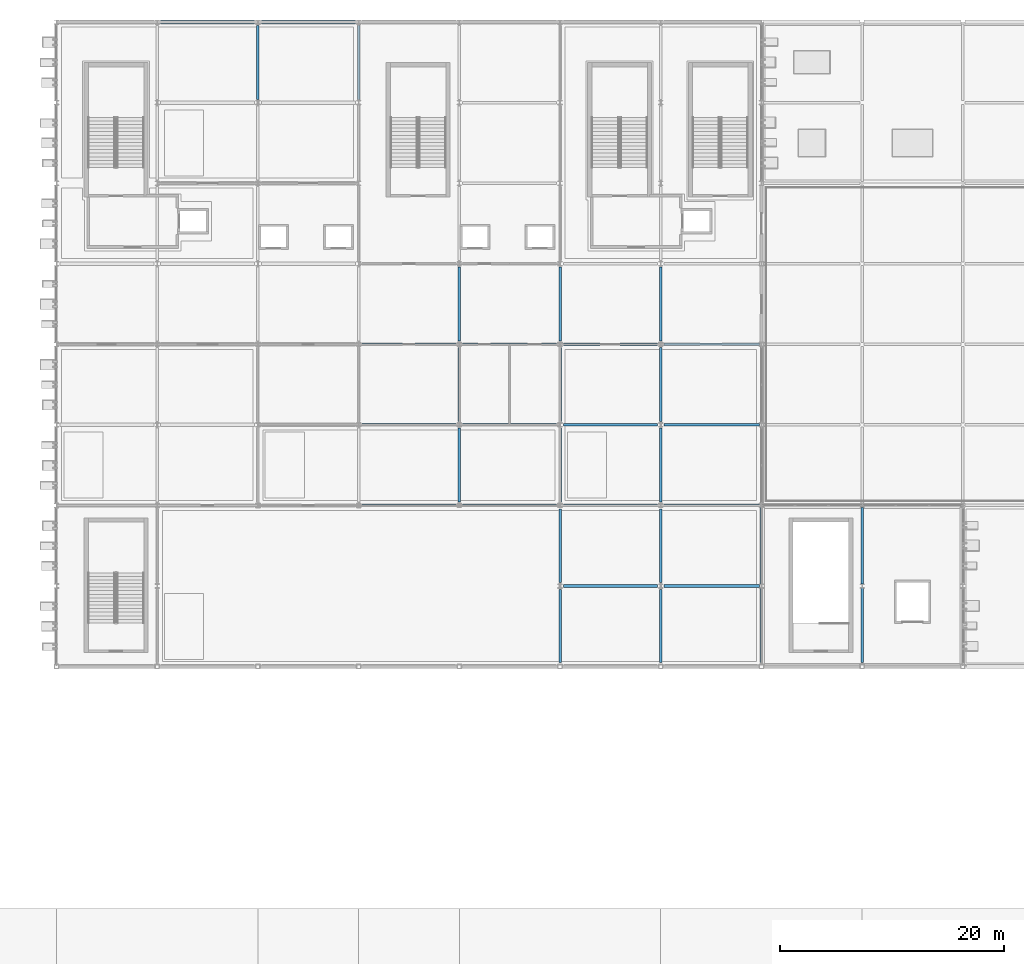
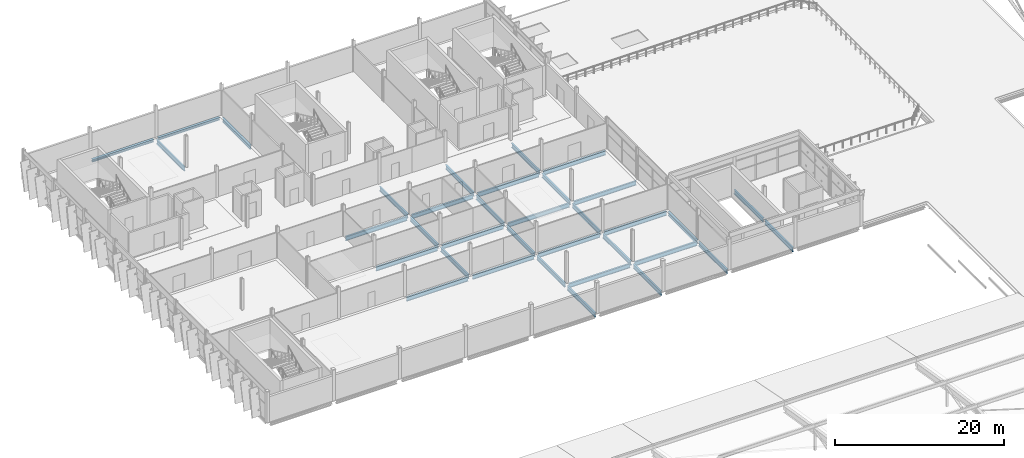
# One storey, part 33 of 78: 35 beams.
"""IFC4 building model written with IfcOpenShell, lengths in metres."""

import ifcopenshell
import ifcopenshell.guid

model = None  # the IFC model being written
_history = None  # IfcOwnerHistory: only IFC2X3 demands one
_inside = {}  # id of a spatial element -> (the spatial element, [elements in it])
_under = {}  # id of a project, library or spatial element -> (it, [spatial elements below it])
_declared = {}  # id of a project -> (the project, [libraries it declares])
_typed = {}  # id of a type object -> (the type object, [elements of that type])
_made_of = {}  # id of a material, layer set ... -> (it, [elements and type objects made of it])


def new_model(schema):
    """Start an empty IFC model of exactly this schema.

    Asked for "IFC4X3", IfcOpenShell would pick the latest addendum, in which some entities
    have other attributes; the version numbers below select the first issue.
    IFC2X3 requires an IfcOwnerHistory on every rooted entity: one is made here for all.
    """
    global model, _history
    if schema == "IFC4X3":
        model = ifcopenshell.file(schema_version=(4, 3, 0, 0))
    else:
        model = ifcopenshell.file(schema=schema)
    _inside.clear()
    _under.clear()
    _declared.clear()
    _typed.clear()
    _made_of.clear()
    _history = None
    if model.schema == "IFC2X3":
        org = make("IfcOrganization", Name="unknown")
        user = make(
            "IfcPersonAndOrganization",
            ThePerson=make("IfcPerson", FamilyName="unknown"),
            TheOrganization=org,
        )
        app = make(
            "IfcApplication",
            ApplicationDeveloper=org,
            Version="unknown",
            ApplicationFullName="unknown",
            ApplicationIdentifier="unknown",
        )
        _history = make(
            "IfcOwnerHistory",
            OwningUser=user,
            OwningApplication=app,
            ChangeAction="ADDED",
            CreationDate=0,
        )
    return model


def make(cls, **values):
    """One entity of the class cls with the attributes given. An attribute that is None is left unset."""
    return model.create_entity(
        cls, **{name: value for name, value in values.items() if value is not None}
    )


def rooted(cls, **values):
    """An entity with a GlobalId (a new one), such as an element, a storey or a relation."""
    return make(cls, GlobalId=ifcopenshell.guid.new(), OwnerHistory=_history, **values)


def si_unit(unit_type, name, prefix=None):
    """IfcSIUnit, for example si_unit("LENGTHUNIT", "METRE", prefix="MILLI")."""
    return make("IfcSIUnit", UnitType=unit_type, Prefix=prefix, Name=name)


def assignment(units):
    """IfcUnitAssignment: the units of a project."""
    return None if units is None else make("IfcUnitAssignment", Units=units)


def point(xyz):
    """IfcCartesianPoint."""
    return None if xyz is None else make("IfcCartesianPoint", Coordinates=xyz)


def direction(xyz):
    """IfcDirection."""
    return None if xyz is None else make("IfcDirection", DirectionRatios=xyz)


def frame(location, z_axis=None, x_axis=None):
    """IfcAxis2Placement3D, a coordinate frame: its origin and axes. An axis left out is left unset."""
    return make(
        "IfcAxis2Placement3D",
        Location=point(location),
        Axis=direction(z_axis),
        RefDirection=direction(x_axis),
    )


def frame_2d(location, x_axis=None):
    """IfcAxis2Placement2D, a coordinate frame in the plane: its origin and x axis."""
    return make(
        "IfcAxis2Placement2D", Location=point(location), RefDirection=direction(x_axis)
    )


def origin():
    """The frame at (0, 0, 0) with its axes left unset."""
    return frame((0.0, 0.0, 0.0))


def origin_2d():
    """The frame at (0, 0) in the plane with its x axis left unset."""
    return frame_2d((0.0, 0.0))


def place(relative_to, where):
    """IfcLocalPlacement: puts the frame where relative to a parent placement (None: the world)."""
    return make(
        "IfcLocalPlacement", PlacementRelTo=relative_to, RelativePlacement=where
    )


def context(
    kind, dimensions, precision=None, world=None, true_north=None, identifier=None
):
    """IfcGeometricRepresentationContext, for example the 3D "Model" context."""
    return make(
        "IfcGeometricRepresentationContext",
        ContextIdentifier=identifier,
        ContextType=kind,
        CoordinateSpaceDimension=dimensions,
        Precision=precision,
        WorldCoordinateSystem=world,
        TrueNorth=true_north,
    )


def subcontext(parent, identifier, kind, view, scale=None):
    """IfcGeometricRepresentationSubContext, for example "Body" below "Model"."""
    return make(
        "IfcGeometricRepresentationSubContext",
        ContextIdentifier=identifier,
        ContextType=kind,
        ParentContext=parent,
        TargetScale=scale,
        TargetView=view,
    )


def project(units=None, contexts=None):
    """IfcProject with its units and contexts."""
    return rooted(
        "IfcProject",
        Name="project",
        RepresentationContexts=contexts,
        UnitsInContext=assignment(units),
    )


def spatial(cls, under=None, at=None, **own):
    """A site, building, storey or space (cls), placed at a placement, below another one or the project."""
    s = rooted(cls, ObjectPlacement=at, **own)
    if under is not None:
        _under.setdefault(under.id(), (under, []))[1].append(s)
    return s


def profile(cls, at=None, kind="AREA", **sizes):
    """A parametric profile (cls). Its sizes go by their IFC names, for example OverallWidth=200.0."""
    return make(cls, ProfileType=kind, Position=at, **sizes)


def i_section(**sizes):
    """IfcIShapeProfileDef."""
    return profile("IfcIShapeProfileDef", **sizes)


def extrude(swept, where, along, depth):
    """IfcExtrudedAreaSolid: the profile swept, set in the frame where, extruded along a direction by depth."""
    return make(
        "IfcExtrudedAreaSolid",
        SweptArea=swept,
        Position=where,
        ExtrudedDirection=direction(along),
        Depth=depth,
    )


def shape(context_of_items, identifier, shape_type, items):
    """IfcShapeRepresentation: the items that make up one representation, for example the "Body"."""
    return make(
        "IfcShapeRepresentation",
        ContextOfItems=context_of_items,
        RepresentationIdentifier=identifier,
        RepresentationType=shape_type,
        Items=items,
    )


def material(Name=None, Category=None):
    """IfcMaterial."""
    return make("IfcMaterial", Name=Name, Category=Category)


def material_profile(
    of_material, cross_section, Name=None, Category=None, Priority=None
):
    """IfcMaterialProfile: a cross section and its material."""
    return make(
        "IfcMaterialProfile",
        Name=Name,
        Material=of_material,
        Profile=cross_section,
        Priority=Priority,
        Category=Category,
    )


def profile_set(profiles, Name=None, composite=None):
    """IfcMaterialProfileSet."""
    return make(
        "IfcMaterialProfileSet",
        Name=Name,
        MaterialProfiles=profiles,
        CompositeProfile=composite,
    )


def made_of(thing, what):
    """Note that an element or type object is made of a material, layer set ...; save() writes the relation."""
    if what is not None:
        _made_of.setdefault(what.id(), (what, []))[1].append(thing)
    return thing


def type_object(cls, material=None, **own):
    """A type object (cls), such as IfcWallType, which elements share."""
    return made_of(rooted(cls, **own), material)


def element(
    cls,
    number,
    at=None,
    inside=None,
    cuts=None,
    type_object=None,
    material=None,
    context=None,
    identifier="Body",
    shape_type=None,
    held_by="IfcProductDefinitionShape",
    body=None,
    shapes=None,
    **own,
):
    """One element of the class cls, such as IfcWall. Its Tag is "e" and its number.

    at: its placement. inside: the storey or other place that contains it. cuts: it is an
    opening in that element (IfcRelVoidsElement). A single representation is given by context,
    identifier, shape_type and body (its items); several are given by shapes. held_by: the class
    of the entity that holds the representations. save() writes the other relations.
    """
    e = rooted(cls, Tag="e%d" % number, ObjectPlacement=at, **own)
    if body is not None:
        shapes = [shape(context, identifier, shape_type, body)]
    if shapes is not None:
        e.Representation = make(held_by, Representations=shapes)
    if inside is not None:
        _inside.setdefault(inside.id(), (inside, []))[1].append(e)
    if cuts is not None:
        rooted(
            "IfcRelVoidsElement", RelatingBuildingElement=cuts, RelatedOpeningElement=e
        )
    if type_object is not None:
        _typed.setdefault(type_object.id(), (type_object, []))[1].append(e)
    return made_of(e, material)


def aggregate(whole, parts):
    """IfcRelAggregates: a whole, such as a stair, and the parts it consists of."""
    return rooted("IfcRelAggregates", RelatingObject=whole, RelatedObjects=parts)


def save(model, path):
    """Write the relations noted so far, then the file.

    IfcRelAggregates (storeys below a building ...), IfcRelContainedInSpatialStructure (elements
    in a storey), IfcRelDefinesByType, IfcRelAssociatesMaterial and IfcRelDeclares: one each for
    every whole, place, type object, material and project.
    """
    for whole, parts in _under.values():
        aggregate(whole, parts)
    for where, things in _inside.values():
        rooted(
            "IfcRelContainedInSpatialStructure",
            RelatedElements=things,
            RelatingStructure=where,
        )
    for kind, things in _typed.values():
        rooted("IfcRelDefinesByType", RelatedObjects=things, RelatingType=kind)
    for what, things in _made_of.values():
        rooted("IfcRelAssociatesMaterial", RelatedObjects=things, RelatingMaterial=what)
    for by, libraries in _declared.values():
        rooted("IfcRelDeclares", RelatingContext=by, RelatedDefinitions=libraries)
    model.write(path)


model = new_model("IFC4")

# Units and contexts
model_context = context("Model", 3, precision=1e-05, world=origin(), true_north=direction((0.0, 1.0)))
body_context = subcontext(model_context, "Body", "Model", "MODEL_VIEW")
ifc_project = project(units=[si_unit("LENGTHUNIT", "METRE"), si_unit("AREAUNIT", "SQUARE_METRE"), si_unit("VOLUMEUNIT", "CUBIC_METRE"), si_unit("PLANEANGLEUNIT", "RADIAN"), si_unit("MASSUNIT", "GRAM", prefix="KILO")], contexts=[model_context])

# Site, building, storey
site_placement = place(None, origin())
site = spatial("IfcSite", under=ifc_project, at=site_placement, CompositionType="ELEMENT")
building_placement = place(site_placement, origin())
building = spatial("IfcBuilding", under=site, at=building_placement, Name="Celestram Park Convention Centre", CompositionType="ELEMENT")
storey_placement = place(building_placement, frame((0.0, 0.0, 19.800048828125)))
storey = spatial("IfcBuildingStorey", under=building, at=storey_placement, Name="L04", CompositionType="ELEMENT", Elevation=19.800048828125)

# Beams
ifc_material = material(Name="Steel ASTM A992 Grade 50", Category="steel")
ifc_material_profile_1 = material_profile(ifc_material, i_section(OverallWidth=0.22900390625, OverallDepth=0.612060546875, WebThickness=0.011962890625, FlangeThickness=0.01953125, at=origin_2d()), Name="W24X84")
ifc_profile_set_1 = profile_set([ifc_material_profile_1], Name="Steel ASTM A992 Grade 50")
beam_type_1 = type_object("IfcBeamType", Name="STR-BM-W24X84", PredefinedType="BEAM", material=ifc_profile_set_1)
beam_1_placement = place(storey_placement, frame((54.0, 158.697998046875, -0.55615234375), z_axis=(0.0, 1.0, 0.0), x_axis=(-1.0, 0.0, 0.0)))
element("IfcBeam", 1, at=beam_1_placement, inside=storey, type_object=beam_type_1, Name="Primary Y-girder BG-L04-0043", PredefinedType="BEAM", context=body_context, shape_type="SweptSolid", body=[
    extrude(i_section(OverallWidth=0.22900390625, OverallDepth=0.612060546875, WebThickness=0.011962890625, FlangeThickness=0.01953125, at=origin_2d()), origin(), (0.0, 0.0, 1.0), 6.60400390625),
])
for number, where, z_axis, x_axis, name in (
    (2, (63.298095703125, 122.39990234375, -0.55615234375), (1.0, 0.0, 0.0), (0.0, 1.0, 0.0), "Primary X-girder BG-L04-0046"),
    (3, (63.298095703125, 129.60009765625, -0.55615234375), (1.0, 0.0, 0.0), (0.0, 1.0, 0.0), "Primary X-girder BG-L04-0048"),
    (4, (63.298095703125, 136.800048828125, -0.55615234375), (1.0, 0.0, 0.0), (0.0, 1.0, 0.0), "Primary X-girder BG-L04-0050"),
):
    element("IfcBeam", number, at=place(storey_placement, frame(where, z_axis=z_axis, x_axis=x_axis)), inside=storey, type_object=beam_type_1, Name=name, PredefinedType="BEAM", context=body_context, shape_type="SweptSolid", body=[
        extrude(i_section(OverallWidth=0.22900390625, OverallDepth=0.612060546875, WebThickness=0.011962890625, FlangeThickness=0.01953125, at=origin_2d()), origin(), (0.0, 0.0, 1.0), 8.40380859375),
    ])
beam_2_placement = place(storey_placement, frame((63.0, 158.697998046875, -0.55615234375), z_axis=(0.0, 1.0, 0.0), x_axis=(-1.0, 0.0, 0.0)))
element("IfcBeam", 5, at=beam_2_placement, inside=storey, type_object=beam_type_1, Name="Primary Y-girder BG-L04-0055", PredefinedType="BEAM", context=body_context, shape_type="SweptSolid", body=[
    extrude(i_section(OverallWidth=0.22900390625, OverallDepth=0.612060546875, WebThickness=0.011962890625, FlangeThickness=0.01953125, at=origin_2d()), origin(), (0.0, 0.0, 1.0), 6.60400390625),
])
beam_3_placement = place(storey_placement, frame((72.298095703125, 122.39990234375, -0.55615234375), z_axis=(1.0, 0.0, 0.0), x_axis=(0.0, 1.0, 0.0)))
element("IfcBeam", 6, at=beam_3_placement, inside=storey, type_object=beam_type_1, Name="Primary X-girder BG-L04-0058", PredefinedType="BEAM", context=body_context, shape_type="SweptSolid", body=[
    extrude(i_section(OverallWidth=0.22900390625, OverallDepth=0.612060546875, WebThickness=0.011962890625, FlangeThickness=0.01953125, at=origin_2d()), origin(), (0.0, 0.0, 1.0), 8.40380859375),
])
beam_4_placement = place(storey_placement, frame((72.0, 122.697998046875, -0.55615234375), z_axis=(0.0, 1.0, 0.0), x_axis=(-1.0, 0.0, 0.0)))
element("IfcBeam", 7, at=beam_4_placement, inside=storey, type_object=beam_type_1, Name="Primary Y-girder BG-L04-0059", PredefinedType="BEAM", context=body_context, shape_type="SweptSolid", body=[
    extrude(i_section(OverallWidth=0.22900390625, OverallDepth=0.612060546875, WebThickness=0.011962890625, FlangeThickness=0.01953125, at=origin_2d()), origin(), (0.0, 0.0, 1.0), 6.60400390625),
])
beam_5_placement = place(storey_placement, frame((72.298095703125, 129.60009765625, -0.55615234375), z_axis=(1.0, 0.0, 0.0), x_axis=(0.0, 1.0, 0.0)))
element("IfcBeam", 8, at=beam_5_placement, inside=storey, type_object=beam_type_1, Name="Primary X-girder BG-L04-0060", PredefinedType="BEAM", context=body_context, shape_type="SweptSolid", body=[
    extrude(i_section(OverallWidth=0.22900390625, OverallDepth=0.612060546875, WebThickness=0.011962890625, FlangeThickness=0.01953125, at=origin_2d()), origin(), (0.0, 0.0, 1.0), 8.40380859375),
])
beam_6_placement = place(storey_placement, frame((72.0, 129.89794921875, -0.55615234375), z_axis=(0.0, 1.0, 0.0), x_axis=(-1.0, 0.0, 0.0)))
element("IfcBeam", 9, at=beam_6_placement, inside=storey, type_object=beam_type_1, Name="Primary Y-girder BG-L04-0061", PredefinedType="BEAM", context=body_context, shape_type="SweptSolid", body=[
    extrude(i_section(OverallWidth=0.22900390625, OverallDepth=0.612060546875, WebThickness=0.011962890625, FlangeThickness=0.01953125, at=origin_2d()), origin(), (0.0, 0.0, 1.0), 6.60400390625),
])
beam_7_placement = place(storey_placement, frame((72.298095703125, 136.800048828125, -0.55615234375), z_axis=(1.0, 0.0, 0.0), x_axis=(0.0, 1.0, 0.0)))
element("IfcBeam", 10, at=beam_7_placement, inside=storey, type_object=beam_type_1, Name="Primary X-girder BG-L04-0062", PredefinedType="BEAM", context=body_context, shape_type="SweptSolid", body=[
    extrude(i_section(OverallWidth=0.22900390625, OverallDepth=0.612060546875, WebThickness=0.011962890625, FlangeThickness=0.01953125, at=origin_2d()), origin(), (0.0, 0.0, 1.0), 8.40380859375),
])
beam_8_placement = place(storey_placement, frame((72.0, 137.097900390625, -0.55615234375), z_axis=(0.0, 1.0, 0.0), x_axis=(-1.0, 0.0, 0.0)))
element("IfcBeam", 11, at=beam_8_placement, inside=storey, type_object=beam_type_1, Name="Primary Y-girder BG-L04-0063", PredefinedType="BEAM", context=body_context, shape_type="SweptSolid", body=[
    extrude(i_section(OverallWidth=0.22900390625, OverallDepth=0.612060546875, WebThickness=0.011962890625, FlangeThickness=0.01953125, at=origin_2d()), origin(), (0.0, 0.0, 1.0), 6.60400390625),
])
beam_9_placement = place(storey_placement, frame((81.0, 108.347900390625, -0.55615234375), z_axis=(0.0, 1.0, 0.0), x_axis=(-1.0, 0.0, 0.0)))
element("IfcBeam", 12, at=beam_9_placement, inside=storey, type_object=beam_type_1, Name="Primary Y-girder BG-L04-0072", PredefinedType="BEAM", context=body_context, shape_type="SweptSolid", body=[
    extrude(i_section(OverallWidth=0.22900390625, OverallDepth=0.612060546875, WebThickness=0.011962890625, FlangeThickness=0.01953125, at=origin_2d()), origin(), (0.0, 0.0, 1.0), 6.55419921875),
])
beam_10_placement = place(storey_placement, frame((81.298095703125, 115.199951171875, -0.55615234375), z_axis=(1.0, 0.0, 0.0), x_axis=(0.0, 1.0, 0.0)))
element("IfcBeam", 13, at=beam_10_placement, inside=storey, type_object=beam_type_1, Name="Primary X-girder BG-L04-0073", PredefinedType="BEAM", context=body_context, shape_type="SweptSolid", body=[
    extrude(i_section(OverallWidth=0.22900390625, OverallDepth=0.612060546875, WebThickness=0.011962890625, FlangeThickness=0.01953125, at=origin_2d()), origin(), (0.0, 0.0, 1.0), 8.40380859375),
])
beam_11_placement = place(storey_placement, frame((81.0, 115.498046875, -0.55615234375), z_axis=(0.0, 1.0, 0.0), x_axis=(-1.0, 0.0, 0.0)))
element("IfcBeam", 14, at=beam_11_placement, inside=storey, type_object=beam_type_1, Name="Primary Y-girder BG-L04-0074", PredefinedType="BEAM", context=body_context, shape_type="SweptSolid", body=[
    extrude(i_section(OverallWidth=0.22900390625, OverallDepth=0.612060546875, WebThickness=0.011962890625, FlangeThickness=0.01953125, at=origin_2d()), origin(), (0.0, 0.0, 1.0), 6.60400390625),
])
beam_12_placement = place(storey_placement, frame((81.298095703125, 122.39990234375, -0.55615234375), z_axis=(1.0, 0.0, 0.0), x_axis=(0.0, 1.0, 0.0)))
element("IfcBeam", 15, at=beam_12_placement, inside=storey, type_object=beam_type_1, Name="Primary X-girder BG-L04-0075", PredefinedType="BEAM", context=body_context, shape_type="SweptSolid", body=[
    extrude(i_section(OverallWidth=0.22900390625, OverallDepth=0.612060546875, WebThickness=0.011962890625, FlangeThickness=0.01953125, at=origin_2d()), origin(), (0.0, 0.0, 1.0), 8.40380859375),
])
beam_13_placement = place(storey_placement, frame((81.0, 122.697998046875, -0.55615234375), z_axis=(0.0, 1.0, 0.0), x_axis=(-1.0, 0.0, 0.0)))
element("IfcBeam", 16, at=beam_13_placement, inside=storey, type_object=beam_type_1, Name="Primary Y-girder BG-L04-0076", PredefinedType="BEAM", context=body_context, shape_type="SweptSolid", body=[
    extrude(i_section(OverallWidth=0.22900390625, OverallDepth=0.612060546875, WebThickness=0.011962890625, FlangeThickness=0.01953125, at=origin_2d()), origin(), (0.0, 0.0, 1.0), 6.60400390625),
])
beam_14_placement = place(storey_placement, frame((81.298095703125, 129.60009765625, -0.55615234375), z_axis=(1.0, 0.0, 0.0), x_axis=(0.0, 1.0, 0.0)))
element("IfcBeam", 17, at=beam_14_placement, inside=storey, type_object=beam_type_1, Name="Primary X-girder BG-L04-0077", PredefinedType="BEAM", context=body_context, shape_type="SweptSolid", body=[
    extrude(i_section(OverallWidth=0.22900390625, OverallDepth=0.612060546875, WebThickness=0.011962890625, FlangeThickness=0.01953125, at=origin_2d()), origin(), (0.0, 0.0, 1.0), 8.40380859375),
])
beam_15_placement = place(storey_placement, frame((81.0, 129.89794921875, -0.55615234375), z_axis=(0.0, 1.0, 0.0), x_axis=(-1.0, 0.0, 0.0)))
element("IfcBeam", 18, at=beam_15_placement, inside=storey, type_object=beam_type_1, Name="Primary Y-girder BG-L04-0078", PredefinedType="BEAM", context=body_context, shape_type="SweptSolid", body=[
    extrude(i_section(OverallWidth=0.22900390625, OverallDepth=0.612060546875, WebThickness=0.011962890625, FlangeThickness=0.01953125, at=origin_2d()), origin(), (0.0, 0.0, 1.0), 6.60400390625),
])
beam_16_placement = place(storey_placement, frame((81.298095703125, 136.800048828125, -0.55615234375), z_axis=(1.0, 0.0, 0.0), x_axis=(0.0, 1.0, 0.0)))
element("IfcBeam", 19, at=beam_16_placement, inside=storey, type_object=beam_type_1, Name="Primary X-girder BG-L04-0079", PredefinedType="BEAM", context=body_context, shape_type="SweptSolid", body=[
    extrude(i_section(OverallWidth=0.22900390625, OverallDepth=0.612060546875, WebThickness=0.011962890625, FlangeThickness=0.01953125, at=origin_2d()), origin(), (0.0, 0.0, 1.0), 8.40380859375),
])
beam_17_placement = place(storey_placement, frame((81.0, 137.097900390625, -0.55615234375), z_axis=(0.0, 1.0, 0.0), x_axis=(-1.0, 0.0, 0.0)))
element("IfcBeam", 20, at=beam_17_placement, inside=storey, type_object=beam_type_1, Name="Primary Y-girder BG-L04-0080", PredefinedType="BEAM", context=body_context, shape_type="SweptSolid", body=[
    extrude(i_section(OverallWidth=0.22900390625, OverallDepth=0.612060546875, WebThickness=0.011962890625, FlangeThickness=0.01953125, at=origin_2d()), origin(), (0.0, 0.0, 1.0), 6.60400390625),
])
beam_18_placement = place(storey_placement, frame((90.0, 108.347900390625, -0.55615234375), z_axis=(0.0, 1.0, 0.0), x_axis=(-1.0, 0.0, 0.0)))
element("IfcBeam", 21, at=beam_18_placement, inside=storey, type_object=beam_type_1, Name="Primary Y-girder BG-L04-0087", PredefinedType="BEAM", context=body_context, shape_type="SweptSolid", body=[
    extrude(i_section(OverallWidth=0.22900390625, OverallDepth=0.612060546875, WebThickness=0.011962890625, FlangeThickness=0.01953125, at=origin_2d()), origin(), (0.0, 0.0, 1.0), 6.55419921875),
])
beam_19_placement = place(storey_placement, frame((90.298095703125, 115.199951171875, -0.55615234375), z_axis=(1.0, 0.0, 0.0), x_axis=(0.0, 1.0, 0.0)))
element("IfcBeam", 22, at=beam_19_placement, inside=storey, type_object=beam_type_1, Name="Primary X-girder BG-L04-0088", PredefinedType="BEAM", context=body_context, shape_type="SweptSolid", body=[
    extrude(i_section(OverallWidth=0.22900390625, OverallDepth=0.612060546875, WebThickness=0.011962890625, FlangeThickness=0.01953125, at=origin_2d()), origin(), (0.0, 0.0, 1.0), 8.52880859375),
])
beam_20_placement = place(storey_placement, frame((90.0, 115.498046875, -0.55615234375), z_axis=(0.0, 1.0, 0.0), x_axis=(-1.0, 0.0, 0.0)))
element("IfcBeam", 23, at=beam_20_placement, inside=storey, type_object=beam_type_1, Name="Primary Y-girder BG-L04-0089", PredefinedType="BEAM", context=body_context, shape_type="SweptSolid", body=[
    extrude(i_section(OverallWidth=0.22900390625, OverallDepth=0.612060546875, WebThickness=0.011962890625, FlangeThickness=0.01953125, at=origin_2d()), origin(), (0.0, 0.0, 1.0), 6.60400390625),
])
beam_21_placement = place(storey_placement, frame((90.298095703125, 122.39990234375, -0.55615234375), z_axis=(1.0, 0.0, 0.0), x_axis=(0.0, 1.0, 0.0)))
element("IfcBeam", 24, at=beam_21_placement, inside=storey, type_object=beam_type_1, Name="Primary X-girder BG-L04-0090", PredefinedType="BEAM", context=body_context, shape_type="SweptSolid", body=[
    extrude(i_section(OverallWidth=0.22900390625, OverallDepth=0.612060546875, WebThickness=0.011962890625, FlangeThickness=0.01953125, at=origin_2d()), origin(), (0.0, 0.0, 1.0), 8.52880859375),
])
beam_22_placement = place(storey_placement, frame((90.0, 122.697998046875, -0.55615234375), z_axis=(0.0, 1.0, 0.0), x_axis=(-1.0, 0.0, 0.0)))
element("IfcBeam", 25, at=beam_22_placement, inside=storey, type_object=beam_type_1, Name="Primary Y-girder BG-L04-0091", PredefinedType="BEAM", context=body_context, shape_type="SweptSolid", body=[
    extrude(i_section(OverallWidth=0.22900390625, OverallDepth=0.612060546875, WebThickness=0.011962890625, FlangeThickness=0.01953125, at=origin_2d()), origin(), (0.0, 0.0, 1.0), 6.60400390625),
])
beam_23_placement = place(storey_placement, frame((90.298095703125, 129.60009765625, -0.55615234375), z_axis=(1.0, 0.0, 0.0), x_axis=(0.0, 1.0, 0.0)))
element("IfcBeam", 26, at=beam_23_placement, inside=storey, type_object=beam_type_1, Name="Primary X-girder BG-L04-0092", PredefinedType="BEAM", context=body_context, shape_type="SweptSolid", body=[
    extrude(i_section(OverallWidth=0.22900390625, OverallDepth=0.612060546875, WebThickness=0.011962890625, FlangeThickness=0.01953125, at=origin_2d()), origin(), (0.0, 0.0, 1.0), 8.52880859375),
])
beam_24_placement = place(storey_placement, frame((90.0, 129.89794921875, -0.55615234375), z_axis=(0.0, 1.0, 0.0), x_axis=(-1.0, 0.0, 0.0)))
element("IfcBeam", 27, at=beam_24_placement, inside=storey, type_object=beam_type_1, Name="Primary Y-girder BG-L04-0093", PredefinedType="BEAM", context=body_context, shape_type="SweptSolid", body=[
    extrude(i_section(OverallWidth=0.22900390625, OverallDepth=0.612060546875, WebThickness=0.011962890625, FlangeThickness=0.01953125, at=origin_2d()), origin(), (0.0, 0.0, 1.0), 6.60400390625),
])
beam_25_placement = place(storey_placement, frame((90.298095703125, 136.800048828125, -0.55615234375), z_axis=(1.0, 0.0, 0.0), x_axis=(0.0, 1.0, 0.0)))
element("IfcBeam", 28, at=beam_25_placement, inside=storey, type_object=beam_type_1, Name="Primary X-girder BG-L04-0094", PredefinedType="BEAM", context=body_context, shape_type="SweptSolid", body=[
    extrude(i_section(OverallWidth=0.22900390625, OverallDepth=0.612060546875, WebThickness=0.011962890625, FlangeThickness=0.01953125, at=origin_2d()), origin(), (0.0, 0.0, 1.0), 8.52880859375),
])
beam_26_placement = place(storey_placement, frame((90.0, 137.097900390625, -0.55615234375), z_axis=(0.0, 1.0, 0.0), x_axis=(-1.0, 0.0, 0.0)))
element("IfcBeam", 29, at=beam_26_placement, inside=storey, type_object=beam_type_1, Name="Primary Y-girder BG-L04-0095", PredefinedType="BEAM", context=body_context, shape_type="SweptSolid", body=[
    extrude(i_section(OverallWidth=0.22900390625, OverallDepth=0.612060546875, WebThickness=0.011962890625, FlangeThickness=0.01953125, at=origin_2d()), origin(), (0.0, 0.0, 1.0), 6.60400390625),
])
beam_27_placement = place(storey_placement, frame((99.0, 108.347900390625, -0.55615234375), z_axis=(0.0, 1.0, 0.0), x_axis=(-1.0, 0.0, 0.0)))
element("IfcBeam", 30, at=beam_27_placement, inside=storey, type_object=beam_type_1, Name="Primary Y-girder BG-L04-0102", PredefinedType="BEAM", context=body_context, shape_type="SweptSolid", body=[
    extrude(i_section(OverallWidth=0.22900390625, OverallDepth=0.612060546875, WebThickness=0.011962890625, FlangeThickness=0.01953125, at=origin_2d()), origin(), (0.0, 0.0, 1.0), 6.67919921875),
])
beam_28_placement = place(storey_placement, frame((99.0, 115.373046875, -0.55615234375), z_axis=(0.0, 1.0, 0.0), x_axis=(-1.0, 0.0, 0.0)))
element("IfcBeam", 31, at=beam_28_placement, inside=storey, type_object=beam_type_1, Name="Primary Y-girder BG-L04-0103", PredefinedType="BEAM", context=body_context, shape_type="SweptSolid", body=[
    extrude(i_section(OverallWidth=0.22900390625, OverallDepth=0.612060546875, WebThickness=0.011962890625, FlangeThickness=0.01953125, at=origin_2d()), origin(), (0.0, 0.0, 1.0), 6.85400390625),
])
beam_29_placement = place(storey_placement, frame((108.0, 108.347900390625, -0.55615234375), z_axis=(0.0, 1.0, 0.0), x_axis=(-1.0, 0.0, 0.0)))
element("IfcBeam", 32, at=beam_29_placement, inside=storey, type_object=beam_type_1, Name="Primary Y-girder BG-L04-0118", PredefinedType="BEAM", context=body_context, shape_type="SweptSolid", body=[
    extrude(i_section(OverallWidth=0.22900390625, OverallDepth=0.612060546875, WebThickness=0.011962890625, FlangeThickness=0.01953125, at=origin_2d()), origin(), (0.0, 0.0, 1.0), 6.67919921875),
])
beam_30_placement = place(storey_placement, frame((108.0, 115.373046875, -0.55615234375), z_axis=(0.0, 1.0, 0.0), x_axis=(-1.0, 0.0, 0.0)))
element("IfcBeam", 33, at=beam_30_placement, inside=storey, type_object=beam_type_1, Name="Primary Y-girder BG-L04-0119", PredefinedType="BEAM", context=body_context, shape_type="SweptSolid", body=[
    extrude(i_section(OverallWidth=0.22900390625, OverallDepth=0.612060546875, WebThickness=0.011962890625, FlangeThickness=0.01953125, at=origin_2d()), origin(), (0.0, 0.0, 1.0), 6.85400390625),
])
ifc_material_profile_2 = material_profile(ifc_material, i_section(OverallWidth=0.367919921875, OverallDepth=0.35595703125, WebThickness=0.01123046875, FlangeThickness=0.01806640625, at=origin_2d()), Name="W14X90")
ifc_profile_set_2 = profile_set([ifc_material_profile_2], Name="Steel ASTM A992 Grade 50")
beam_type_2 = type_object("IfcBeamType", Name="STR-SPN-W14X90", PredefinedType="SPANDREL", material=ifc_profile_set_2)
for number, where, z_axis, x_axis, name in (
    (34, (45.298095703125, 165.60009765625, -0.427978515625), (1.0, 0.0, 0.0), (0.0, 1.0, 0.0), "Primary X-girder BG-L04-0030"),
    (35, (54.298095703125, 165.60009765625, -0.427978515625), (1.0, 0.0, 0.0), (0.0, 1.0, 0.0), "Primary X-girder BG-L04-0044"),
):
    element("IfcBeam", number, at=place(storey_placement, frame(where, z_axis=z_axis, x_axis=x_axis)), inside=storey, type_object=beam_type_2, Name=name, PredefinedType="SPANDREL", context=body_context, shape_type="SweptSolid", body=[
        extrude(i_section(OverallWidth=0.367919921875, OverallDepth=0.35595703125, WebThickness=0.01123046875, FlangeThickness=0.01806640625, at=origin_2d()), origin(), (0.0, 0.0, 1.0), 8.40380859375),
    ])

save(model, "model.ifc")
